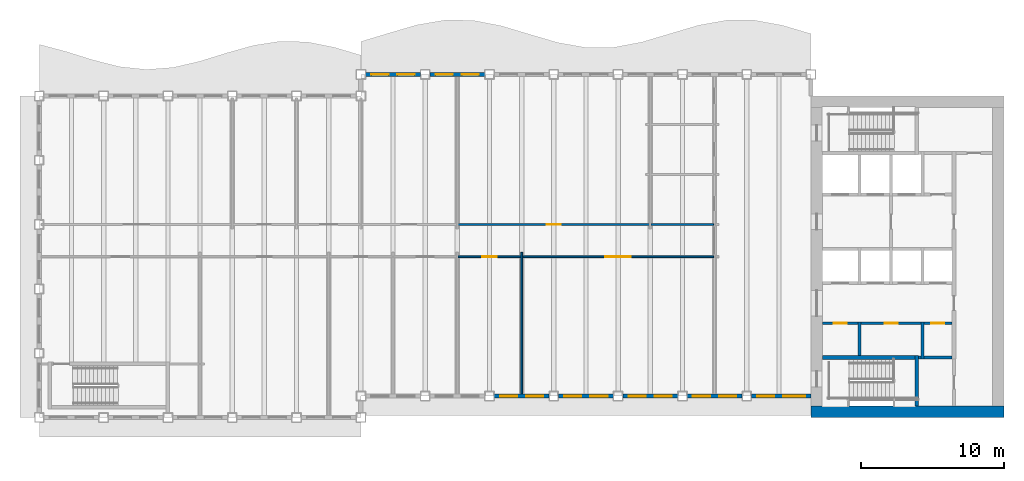
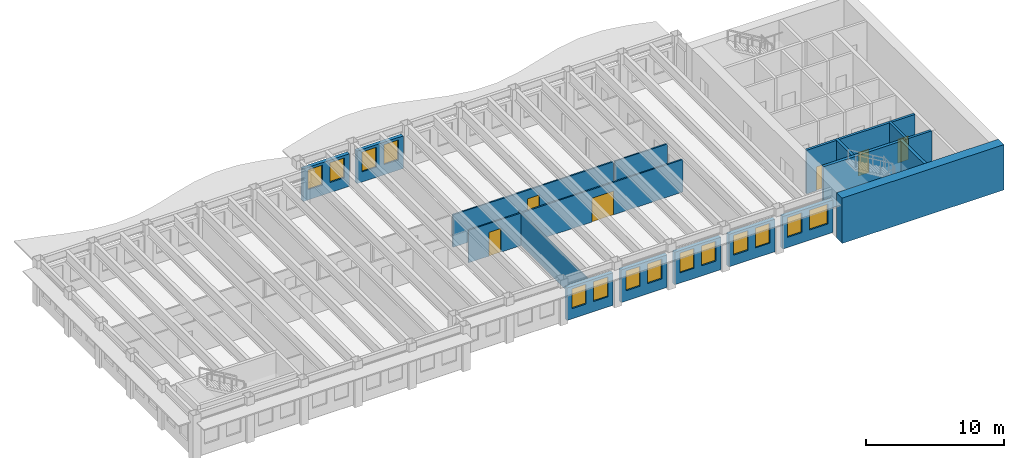
# One storey, part 4 of 12: 22 walls, 14 windows, 6 doors, 20 openings.
"""IFC4 building model written with IfcOpenShell, lengths in metres."""

from ifc_helpers import new_model, si_unit, direction, frame, frame_2d, origin, place, context, subcontext, project, spatial, rectangle, extrude, material, layer, layer_set, type_object, element, fill, save


model = new_model("IFC4")

# Units and contexts
model_context = context("Model", 3, precision=1e-05, world=origin(), true_north=direction((0.0, 1.0)))
body_context = subcontext(model_context, "Body", "Model", "MODEL_VIEW")
ifc_project = project(units=[si_unit("LENGTHUNIT", "METRE"), si_unit("AREAUNIT", "SQUARE_METRE"), si_unit("VOLUMEUNIT", "CUBIC_METRE"), si_unit("PLANEANGLEUNIT", "RADIAN"), si_unit("MASSUNIT", "GRAM", prefix="KILO")], contexts=[model_context])

# Site, building, storey
site_placement = place(None, origin())
site = spatial("IfcSite", under=ifc_project, at=site_placement, CompositionType="ELEMENT")
building_placement = place(site_placement, origin())
building = spatial("IfcBuilding", under=site, at=building_placement, Name="Sennacour Bend Tower", CompositionType="ELEMENT")
storey_placement = place(building_placement, frame((0.0, 0.0, 261.0)))
storey = spatial("IfcBuildingStorey", under=building, at=storey_placement, Name="L60", CompositionType="ELEMENT", Elevation=261.0)

# Walls
ifc_material_1 = material(Name="Concrete C50/60", Category="concrete")
ifc_layer_1 = layer(ifc_material_1, 0.800048828125, Name="Concrete C50/60", Category="concrete")
ifc_layer_set_1 = layer_set([ifc_layer_1], Name="Concrete C50/60")
wall_type_1 = type_object("IfcWallType", Name="Core wall 800 C50/60", PredefinedType="SHEAR", material=ifc_layer_set_1)
wall_1_placement = place(storey_placement, frame((67.5, 0.39990234375, -0.14990234375), z_axis=(0.0, 0.0, 1.0), x_axis=(-1.0, 0.0, 0.0)))
element("IfcWall", 1, at=wall_1_placement, inside=storey, type_object=wall_type_1, Name="Core A wall L60 S", PredefinedType="SHEAR", context=body_context, shape_type="SweptSolid", body=[
    extrude(rectangle(XDim=13.5, YDim=0.800048828125, at=frame_2d((6.75, 0.0))), origin(), (0.0, 0.0, 1.0), 4.0),
])
ifc_material_2 = material(Name="Plasterboard partition on steel studs", Category="steel")
ifc_layer_2 = layer(ifc_material_2, 0.1201171875, Name="Plasterboard partition on steel studs", Category="steel")
ifc_layer_set_2 = layer_set([ifc_layer_2], Name="Plasterboard partition on steel studs")
wall_type_2 = type_object("IfcWallType", Name="Partition 120", PredefinedType="PARTITIONING", material=ifc_layer_set_2)
wall_2_placement = place(storey_placement, frame((33.75, 1.64990234375, 0.0), z_axis=(0.0, 0.0, 1.0), x_axis=(0.0, 1.0, 0.0)))
element("IfcWall", 2, at=wall_2_placement, inside=storey, type_object=wall_type_2, Name="P-L60-W012a", PredefinedType="PARTITIONING", context=body_context, shape_type="SweptSolid", body=[
    extrude(rectangle(XDim=9.900146484375, YDim=0.1201171875, at=frame_2d((4.9501953125, 0.0))), origin(), (0.0, 0.0, 1.0), 2.8701171875),
])

# Wall, opening, door
wall_3_placement = place(storey_placement, frame((29.31005859375, 11.25, 0.0), z_axis=(0.0, 0.0, 1.0), x_axis=(1.0, 0.0, 0.0)))
wall_3 = element("IfcWall", 3, at=wall_3_placement, inside=storey, type_object=wall_type_2, Name="P-L60-W039ae", PredefinedType="PARTITIONING", context=body_context, shape_type="SweptSolid", body=[
    extrude(rectangle(XDim=4.3798828125, YDim=0.1201171875, at=frame_2d((2.18994140625, 0.0))), origin(), (0.0, 0.0, 1.0), 2.8701171875),
])
opening_1_placement = place(wall_3_placement, frame((1.68994140625, 0.0, 0.0)))
opening_1 = element("IfcOpeningElement", 4, at=opening_1_placement, cuts=wall_3, Name="Opening OD2", PredefinedType="OPENING", context=body_context, shape_type="SweptSolid", body=[
    extrude(rectangle(XDim=1.0, YDim=2.10009765625, at=frame_2d((0.5, 1.050048828125))), frame((0.0, 0.070068359375, 0.0), z_axis=(0.0, -1.0, 0.0), x_axis=(1.0, 0.0, 0.0)), (0.0, 0.0, 1.0), 0.14013671875),
])
ifc_material_3 = material(Name="Timber", Category="wood")
door_type_1 = type_object("IfcDoorType", Name="DR-OFFICE-1000", OperationType="NOTDEFINED", PredefinedType="DOOR", material=ifc_material_3)
door_1_placement = place(opening_1_placement, origin())
door_1 = element("IfcDoor", 5, at=door_1_placement, inside=storey, type_object=door_type_1, Name="Door", OperationType="SINGLE_SWING_LEFT", OverallHeight=2.10009765625, OverallWidth=1.0, PredefinedType="DOOR", context=body_context, shape_type="SweptSolid", body=[
    extrude(rectangle(XDim=1.0, YDim=2.10009765625, at=frame_2d((0.5, 1.050048828125))), frame((0.0, 0.02490234375, 0.0), z_axis=(0.0, -1.0, 0.0), x_axis=(1.0, 0.0, 0.0)), (0.0, 0.0, 1.0), 0.050048828125),
])
fill(opening_1, door_1)

wall_4_placement = place(storey_placement, frame((33.81005859375, 11.25, 0.0), z_axis=(0.0, 0.0, 1.0), x_axis=(1.0, 0.0, 0.0)))
wall_4 = element("IfcWall", 6, at=wall_4_placement, inside=storey, type_object=wall_type_2, Name="P-L60-W039af", PredefinedType="PARTITIONING", context=body_context, shape_type="SweptSolid", body=[
    extrude(rectangle(XDim=13.3798828125, YDim=0.1201171875, at=frame_2d((6.68994140625, 0.0))), origin(), (0.0, 0.0, 1.0), 2.8701171875),
])
opening_2_placement = place(wall_4_placement, frame((5.789794921875, 0.0, 0.0)))
opening_2 = element("IfcOpeningElement", 7, at=opening_2_placement, cuts=wall_4, Name="Opening OD3", PredefinedType="OPENING", context=body_context, shape_type="SweptSolid", body=[
    extrude(rectangle(XDim=1.800048828125, YDim=2.10009765625, at=frame_2d((0.89990234375, 1.050048828125))), frame((0.0, 0.070068359375, 0.0), z_axis=(0.0, -1.0, 0.0), x_axis=(1.0, 0.0, 0.0)), (0.0, 0.0, 1.0), 0.14013671875),
])
door_type_2 = type_object("IfcDoorType", Name="DR-OFFICE-1800", OperationType="NOTDEFINED", PredefinedType="DOOR", material=ifc_material_3)
door_2_placement = place(opening_2_placement, origin())
door_2 = element("IfcDoor", 8, at=door_2_placement, inside=storey, type_object=door_type_2, Name="Door", OperationType="DOUBLE_DOOR_SINGLE_SWING", OverallHeight=2.10009765625, OverallWidth=1.800048828125, PredefinedType="DOOR", context=body_context, shape_type="SweptSolid", body=[
    extrude(rectangle(XDim=1.800048828125, YDim=2.10009765625, at=frame_2d((0.89990234375, 1.050048828125))), frame((0.0, 0.02490234375, 0.0), z_axis=(0.0, -1.0, 0.0), x_axis=(1.0, 0.0, 0.0)), (0.0, 0.0, 1.0), 0.050048828125),
])
fill(opening_2, door_2)

wall_5_placement = place(storey_placement, frame((29.31005859375, 13.5, 0.0), z_axis=(0.0, 0.0, 1.0), x_axis=(1.0, 0.0, 0.0)))
wall_5 = element("IfcWall", 9, at=wall_5_placement, inside=storey, type_object=wall_type_2, Name="P-L60-W041ae", PredefinedType="PARTITIONING", context=body_context, shape_type="SweptSolid", body=[
    extrude(rectangle(XDim=13.3798828125, YDim=0.1201171875, at=frame_2d((6.68994140625, 0.0))), origin(), (0.0, 0.0, 1.0), 2.8701171875),
])
opening_3_placement = place(wall_5_placement, frame((6.18994140625, 0.0, 0.0)))
opening_3 = element("IfcOpeningElement", 10, at=opening_3_placement, cuts=wall_5, Name="Opening OD2", PredefinedType="OPENING", context=body_context, shape_type="SweptSolid", body=[
    extrude(rectangle(XDim=1.0, YDim=2.10009765625, at=frame_2d((0.5, 1.050048828125))), frame((0.0, 0.070068359375, 0.0), z_axis=(0.0, -1.0, 0.0), x_axis=(1.0, 0.0, 0.0)), (0.0, 0.0, 1.0), 0.14013671875),
])
door_3_placement = place(opening_3_placement, origin())
door_3 = element("IfcDoor", 11, at=door_3_placement, inside=storey, type_object=door_type_1, Name="Door", OperationType="SINGLE_SWING_LEFT", OverallHeight=2.10009765625, OverallWidth=1.0, PredefinedType="DOOR", context=body_context, shape_type="SweptSolid", body=[
    extrude(rectangle(XDim=1.0, YDim=2.10009765625, at=frame_2d((0.5, 1.050048828125))), frame((0.0, 0.02490234375, 0.0), z_axis=(0.0, -1.0, 0.0), x_axis=(1.0, 0.0, 0.0)), (0.0, 0.0, 1.0), 0.050048828125),
])
fill(opening_3, door_3)

# Walls
wall_6_placement = place(storey_placement, frame((42.81005859375, 13.5, 0.0), z_axis=(0.0, 0.0, 1.0), x_axis=(1.0, 0.0, 0.0)))
element("IfcWall", 12, at=wall_6_placement, inside=storey, type_object=wall_type_2, Name="P-L60-W041af", PredefinedType="PARTITIONING", context=body_context, shape_type="SweptSolid", body=[
    extrude(rectangle(XDim=4.3798828125, YDim=0.1201171875, at=frame_2d((2.18994140625, 0.0))), origin(), (0.0, 0.0, 1.0), 2.8701171875),
])
ifc_material_4 = material(Name="Fire-rated plasterboard partition on steel studs", Category="steel")
ifc_layer_3 = layer(ifc_material_4, 0.199951171875, Name="Fire-rated plasterboard partition on steel studs", Category="steel")
ifc_layer_set_3 = layer_set([ifc_layer_3], Name="Fire-rated plasterboard partition on steel studs")
wall_type_3 = type_object("IfcWallType", Name="Rated partition 200", PredefinedType="PARTITIONING", material=ifc_layer_set_3)
wall_7_placement = place(storey_placement, frame((57.39990234375, 4.324951171875, 0.0), z_axis=(0.0, 0.0, 1.0), x_axis=(0.0, 1.0, 0.0)))
element("IfcWall", 13, at=wall_7_placement, inside=storey, type_object=wall_type_3, Name="P-L60-W016", PredefinedType="PARTITIONING", context=body_context, shape_type="SweptSolid", body=[
    extrude(rectangle(XDim=2.375, YDim=0.199951171875, at=frame_2d((1.1875, 0.0))), origin(), (0.0, 0.0, 1.0), 3.85009765625),
])
wall_8_placement = place(storey_placement, frame((61.800048828125, 4.10009765625, 0.0), z_axis=(0.0, 0.0, 1.0), x_axis=(0.0, 1.0, 0.0)))
element("IfcWall", 14, at=wall_8_placement, inside=storey, type_object=wall_type_3, Name="P-L60-W024", PredefinedType="PARTITIONING", context=body_context, shape_type="SweptSolid", body=[
    extrude(rectangle(XDim=2.599853515625, YDim=0.199951171875, at=frame_2d((1.2998046875, 0.0))), origin(), (0.0, 0.0, 1.0), 3.85009765625),
])
wall_9_placement = place(storey_placement, frame((61.52490234375, 4.199951171875, 0.0), z_axis=(0.0, 0.0, 1.0), x_axis=(1.0, 0.0, 0.0)))
element("IfcWall", 15, at=wall_9_placement, inside=storey, type_object=wall_type_3, Name="P-L60-W036a", PredefinedType="PARTITIONING", context=body_context, shape_type="SweptSolid", body=[
    extrude(rectangle(XDim=0.175048828125, YDim=0.199951171875, at=frame_2d((0.08740234375, 0.0))), origin(), (0.0, 0.0, 1.0), 3.85009765625),
])
wall_10_placement = place(storey_placement, frame((61.89990234375, 4.199951171875, 0.0), z_axis=(0.0, 0.0, 1.0), x_axis=(1.0, 0.0, 0.0)))
element("IfcWall", 16, at=wall_10_placement, inside=storey, type_object=wall_type_3, Name="P-L60-W036b", PredefinedType="PARTITIONING", context=body_context, shape_type="SweptSolid", body=[
    extrude(rectangle(XDim=1.9501953125, YDim=0.199951171875, at=frame_2d((0.97509765625, 0.0))), origin(), (0.0, 0.0, 1.0), 3.85009765625),
])

# Wall, opening, door
wall_11_placement = place(storey_placement, frame((54.800048828125, 6.60009765625, 0.0), z_axis=(0.0, 0.0, 1.0), x_axis=(1.0, 0.0, 0.0)))
wall_11 = element("IfcWall", 17, at=wall_11_placement, inside=storey, type_object=wall_type_3, Name="P-L60-W037a", PredefinedType="PARTITIONING", context=body_context, shape_type="SweptSolid", body=[
    extrude(rectangle(XDim=2.5, YDim=0.199951171875, at=frame_2d((1.25, 0.0))), origin(), (0.0, 0.0, 1.0), 3.85009765625),
])
opening_4_placement = place(wall_11_placement, frame((0.800048828125, 0.0, 0.0)))
opening_4 = element("IfcOpeningElement", 18, at=opening_4_placement, cuts=wall_11, Name="Opening SV", PredefinedType="OPENING", context=body_context, shape_type="SweptSolid", body=[
    extrude(rectangle(XDim=0.89990234375, YDim=2.10009765625, at=frame_2d((0.449951171875, 1.050048828125))), frame((0.0, 0.10986328125, 0.0), z_axis=(0.0, -1.0, 0.0), x_axis=(1.0, 0.0, 0.0)), (0.0, 0.0, 1.0), 0.219970703125),
])
ifc_material_5 = material(Name="Painted steel", Category="steel")
door_type_3 = type_object("IfcDoorType", Name="DR-SERVICE-900", OperationType="NOTDEFINED", PredefinedType="DOOR", material=ifc_material_5)
door_4_placement = place(opening_4_placement, origin())
door_4 = element("IfcDoor", 19, at=door_4_placement, inside=storey, type_object=door_type_3, Name="Door", OperationType="SINGLE_SWING_LEFT", OverallHeight=2.10009765625, OverallWidth=0.89990234375, PredefinedType="DOOR", context=body_context, shape_type="SweptSolid", body=[
    extrude(rectangle(XDim=0.89990234375, YDim=2.10009765625, at=frame_2d((0.449951171875, 1.050048828125))), frame((0.0, 0.02490234375, 0.0), z_axis=(0.0, -1.0, 0.0), x_axis=(1.0, 0.0, 0.0)), (0.0, 0.0, 1.0), 0.050048828125),
])
fill(opening_4, door_4)

wall_12_placement = place(storey_placement, frame((57.5, 6.60009765625, 0.0), z_axis=(0.0, 0.0, 1.0), x_axis=(1.0, 0.0, 0.0)))
wall_12 = element("IfcWall", 20, at=wall_12_placement, inside=storey, type_object=wall_type_3, Name="P-L60-W037b", PredefinedType="PARTITIONING", context=body_context, shape_type="SweptSolid", body=[
    extrude(rectangle(XDim=4.199951171875, YDim=0.199951171875, at=frame_2d((2.10009765625, 0.0))), origin(), (0.0, 0.0, 1.0), 3.85009765625),
])
opening_5_placement = place(wall_12_placement, frame((1.64990234375, 0.0, 0.0)))
opening_5 = element("IfcOpeningElement", 21, at=opening_5_placement, cuts=wall_12, Name="Opening WD", PredefinedType="OPENING", context=body_context, shape_type="SweptSolid", body=[
    extrude(rectangle(XDim=0.89990234375, YDim=2.10009765625, at=frame_2d((0.449951171875, 1.050048828125))), frame((0.0, 0.10986328125, 0.0), z_axis=(0.0, -1.0, 0.0), x_axis=(1.0, 0.0, 0.0)), (0.0, 0.0, 1.0), 0.219970703125),
])
door_type_4 = type_object("IfcDoorType", Name="DR-WC-900", OperationType="NOTDEFINED", PredefinedType="DOOR", material=ifc_material_3)
door_5_placement = place(opening_5_placement, origin())
door_5 = element("IfcDoor", 22, at=door_5_placement, inside=storey, type_object=door_type_4, Name="Door", OperationType="SINGLE_SWING_RIGHT", OverallHeight=2.10009765625, OverallWidth=0.89990234375, PredefinedType="DOOR", context=body_context, shape_type="SweptSolid", body=[
    extrude(rectangle(XDim=0.89990234375, YDim=2.10009765625, at=frame_2d((0.449951171875, 1.050048828125))), frame((0.0, 0.02490234375, 0.0), z_axis=(0.0, -1.0, 0.0), x_axis=(1.0, 0.0, 0.0)), (0.0, 0.0, 1.0), 0.050048828125),
])
fill(opening_5, door_5)

wall_13_placement = place(storey_placement, frame((61.89990234375, 6.60009765625, 0.0), z_axis=(0.0, 0.0, 1.0), x_axis=(1.0, 0.0, 0.0)))
wall_13 = element("IfcWall", 23, at=wall_13_placement, inside=storey, type_object=wall_type_3, Name="P-L60-W037c", PredefinedType="PARTITIONING", context=body_context, shape_type="SweptSolid", body=[
    extrude(rectangle(XDim=1.9501953125, YDim=0.199951171875, at=frame_2d((0.97509765625, 0.0))), origin(), (0.0, 0.0, 1.0), 3.85009765625),
])
opening_6_placement = place(wall_13_placement, frame((0.525146484375, 0.0, 0.0)))
opening_6 = element("IfcOpeningElement", 24, at=opening_6_placement, cuts=wall_13, Name="Opening SV", PredefinedType="OPENING", context=body_context, shape_type="SweptSolid", body=[
    extrude(rectangle(XDim=0.89990234375, YDim=2.10009765625, at=frame_2d((0.449951171875, 1.050048828125))), frame((0.0, 0.10986328125, 0.0), z_axis=(0.0, -1.0, 0.0), x_axis=(1.0, 0.0, 0.0)), (0.0, 0.0, 1.0), 0.219970703125),
])
door_6_placement = place(opening_6_placement, origin())
door_6 = element("IfcDoor", 25, at=door_6_placement, inside=storey, type_object=door_type_3, Name="Door", OperationType="SINGLE_SWING_LEFT", OverallHeight=2.10009765625, OverallWidth=0.89990234375, PredefinedType="DOOR", context=body_context, shape_type="SweptSolid", body=[
    extrude(rectangle(XDim=0.89990234375, YDim=2.10009765625, at=frame_2d((0.449951171875, 1.050048828125))), frame((0.0, 0.02490234375, 0.0), z_axis=(0.0, -1.0, 0.0), x_axis=(1.0, 0.0, 0.0)), (0.0, 0.0, 1.0), 0.050048828125),
])
fill(opening_6, door_6)

# Wall, openings, windows
ifc_material_6 = material(Name="Warm limestone cladding", Category="masonry")
ifc_layer_4 = layer(ifc_material_6, 0.050048828125, Name="Warm limestone cladding", Category="masonry")
ifc_material_7 = material(Name="Precast concrete C40/50", Category="concrete")
ifc_layer_5 = layer(ifc_material_7, 0.25, Name="Precast concrete C40/50", Category="concrete")
ifc_layer_set_4 = layer_set([ifc_layer_4, ifc_layer_5], Name="Precast concrete C40/50 with limestone cladding")
wall_type_4 = type_object("IfcWallType", Name="STONE-CLAD PRECAST SPANDREL 300", PredefinedType="STANDARD", material=ifc_layer_set_4)
wall_14_placement = place(storey_placement, frame((31.824951171875, 1.5, 0.0), z_axis=(0.0, 0.0, 1.0), x_axis=(1.0, 0.0, 0.0)))
wall_14 = element("IfcWall", 26, at=wall_14_placement, inside=storey, type_object=wall_type_4, Name="Stone spandrel and pier wall L60 01.02", PredefinedType="STANDARD", context=body_context, shape_type="SweptSolid", body=[
    extrude(rectangle(XDim=3.85009765625, YDim=0.300048828125, at=frame_2d((1.925048828125, 0.0))), origin(), (0.0, 0.0, 1.0), 2.8701171875),
])
opening_7_placement = place(wall_14_placement, frame((0.41259765625, 0.0, 0.89990234375)))
opening_7 = element("IfcOpeningElement", 27, at=opening_7_placement, cuts=wall_14, Name="Opening W16", PredefinedType="OPENING", context=body_context, shape_type="SweptSolid", body=[
    extrude(rectangle(XDim=1.199951171875, YDim=1.75, at=frame_2d((0.60009765625, 0.875))), frame((0.0, 0.16015625, 0.0), z_axis=(0.0, -1.0, 0.0), x_axis=(1.0, 0.0, 0.0)), (0.0, 0.0, 1.0), 0.320068359375),
])
opening_8_placement = place(wall_14_placement, frame((2.237548828125, 0.0, 0.89990234375)))
opening_8 = element("IfcOpeningElement", 28, at=opening_8_placement, cuts=wall_14, Name="Opening W16", PredefinedType="OPENING", context=body_context, shape_type="SweptSolid", body=[
    extrude(rectangle(XDim=1.199951171875, YDim=1.75, at=frame_2d((0.60009765625, 0.875))), frame((0.0, 0.16015625, 0.0), z_axis=(0.0, -1.0, 0.0), x_axis=(1.0, 0.0, 0.0)), (0.0, 0.0, 1.0), 0.320068359375),
])
ifc_material_8 = material(Name="Clear low-emissivity glass", Category="glass")
window_type_1 = type_object("IfcWindowType", Name="WIN-RIBBON-1200x1750", PartitioningType="SINGLE_PANEL", PredefinedType="WINDOW", material=ifc_material_8)
window_1_placement = place(opening_7_placement, origin())
window_1 = element("IfcWindow", 29, at=window_1_placement, inside=storey, type_object=window_type_1, Name="Ribbon window L60 01.02.0", OverallHeight=1.75, OverallWidth=1.199951171875, PartitioningType="SINGLE_PANEL", PredefinedType="WINDOW", context=body_context, shape_type="SweptSolid", body=[
    extrude(rectangle(XDim=1.199951171875, YDim=1.75, at=frame_2d((0.60009765625, 0.875))), frame((0.0, 0.030029296875, 0.0), z_axis=(0.0, -1.0, 0.0), x_axis=(1.0, 0.0, 0.0)), (0.0, 0.0, 1.0), 0.06005859375),
])
fill(opening_7, window_1)
window_2_placement = place(opening_8_placement, origin())
window_2 = element("IfcWindow", 30, at=window_2_placement, inside=storey, type_object=window_type_1, Name="Ribbon window L60 01.02.1", OverallHeight=1.75, OverallWidth=1.199951171875, PartitioningType="SINGLE_PANEL", PredefinedType="WINDOW", context=body_context, shape_type="SweptSolid", body=[
    extrude(rectangle(XDim=1.199951171875, YDim=1.75, at=frame_2d((0.60009765625, 0.875))), frame((0.0, 0.030029296875, 0.0), z_axis=(0.0, -1.0, 0.0), x_axis=(1.0, 0.0, 0.0)), (0.0, 0.0, 1.0), 0.06005859375),
])
fill(opening_8, window_2)

wall_15_placement = place(storey_placement, frame((36.324951171875, 1.5, 0.0), z_axis=(0.0, 0.0, 1.0), x_axis=(1.0, 0.0, 0.0)))
wall_15 = element("IfcWall", 31, at=wall_15_placement, inside=storey, type_object=wall_type_4, Name="Stone spandrel and pier wall L60 01.03", PredefinedType="STANDARD", context=body_context, shape_type="SweptSolid", body=[
    extrude(rectangle(XDim=3.85009765625, YDim=0.300048828125, at=frame_2d((1.925048828125, 0.0))), origin(), (0.0, 0.0, 1.0), 2.8701171875),
])
opening_9_placement = place(wall_15_placement, frame((0.41259765625, 0.0, 0.89990234375)))
opening_9 = element("IfcOpeningElement", 32, at=opening_9_placement, cuts=wall_15, Name="Opening W16", PredefinedType="OPENING", context=body_context, shape_type="SweptSolid", body=[
    extrude(rectangle(XDim=1.199951171875, YDim=1.75, at=frame_2d((0.60009765625, 0.875))), frame((0.0, 0.16015625, 0.0), z_axis=(0.0, -1.0, 0.0), x_axis=(1.0, 0.0, 0.0)), (0.0, 0.0, 1.0), 0.320068359375),
])
opening_10_placement = place(wall_15_placement, frame((2.237548828125, 0.0, 0.89990234375)))
opening_10 = element("IfcOpeningElement", 33, at=opening_10_placement, cuts=wall_15, Name="Opening W16", PredefinedType="OPENING", context=body_context, shape_type="SweptSolid", body=[
    extrude(rectangle(XDim=1.199951171875, YDim=1.75, at=frame_2d((0.60009765625, 0.875))), frame((0.0, 0.16015625, 0.0), z_axis=(0.0, -1.0, 0.0), x_axis=(1.0, 0.0, 0.0)), (0.0, 0.0, 1.0), 0.320068359375),
])
window_3_placement = place(opening_9_placement, origin())
window_3 = element("IfcWindow", 34, at=window_3_placement, inside=storey, type_object=window_type_1, Name="Ribbon window L60 01.03.0", OverallHeight=1.75, OverallWidth=1.199951171875, PartitioningType="SINGLE_PANEL", PredefinedType="WINDOW", context=body_context, shape_type="SweptSolid", body=[
    extrude(rectangle(XDim=1.199951171875, YDim=1.75, at=frame_2d((0.60009765625, 0.875))), frame((0.0, 0.030029296875, 0.0), z_axis=(0.0, -1.0, 0.0), x_axis=(1.0, 0.0, 0.0)), (0.0, 0.0, 1.0), 0.06005859375),
])
fill(opening_9, window_3)
window_4_placement = place(opening_10_placement, origin())
window_4 = element("IfcWindow", 35, at=window_4_placement, inside=storey, type_object=window_type_1, Name="Ribbon window L60 01.03.1", OverallHeight=1.75, OverallWidth=1.199951171875, PartitioningType="SINGLE_PANEL", PredefinedType="WINDOW", context=body_context, shape_type="SweptSolid", body=[
    extrude(rectangle(XDim=1.199951171875, YDim=1.75, at=frame_2d((0.60009765625, 0.875))), frame((0.0, 0.030029296875, 0.0), z_axis=(0.0, -1.0, 0.0), x_axis=(1.0, 0.0, 0.0)), (0.0, 0.0, 1.0), 0.06005859375),
])
fill(opening_10, window_4)

wall_16_placement = place(storey_placement, frame((40.824951171875, 1.5, 0.0), z_axis=(0.0, 0.0, 1.0), x_axis=(1.0, 0.0, 0.0)))
wall_16 = element("IfcWall", 36, at=wall_16_placement, inside=storey, type_object=wall_type_4, Name="Stone spandrel and pier wall L60 01.04", PredefinedType="STANDARD", context=body_context, shape_type="SweptSolid", body=[
    extrude(rectangle(XDim=3.85009765625, YDim=0.300048828125, at=frame_2d((1.925048828125, 0.0))), origin(), (0.0, 0.0, 1.0), 2.8701171875),
])
opening_11_placement = place(wall_16_placement, frame((0.41259765625, 0.0, 0.89990234375)))
opening_11 = element("IfcOpeningElement", 37, at=opening_11_placement, cuts=wall_16, Name="Opening W16", PredefinedType="OPENING", context=body_context, shape_type="SweptSolid", body=[
    extrude(rectangle(XDim=1.199951171875, YDim=1.75, at=frame_2d((0.60009765625, 0.875))), frame((0.0, 0.16015625, 0.0), z_axis=(0.0, -1.0, 0.0), x_axis=(1.0, 0.0, 0.0)), (0.0, 0.0, 1.0), 0.320068359375),
])
opening_12_placement = place(wall_16_placement, frame((2.237548828125, 0.0, 0.89990234375)))
opening_12 = element("IfcOpeningElement", 38, at=opening_12_placement, cuts=wall_16, Name="Opening W16", PredefinedType="OPENING", context=body_context, shape_type="SweptSolid", body=[
    extrude(rectangle(XDim=1.199951171875, YDim=1.75, at=frame_2d((0.60009765625, 0.875))), frame((0.0, 0.16015625, 0.0), z_axis=(0.0, -1.0, 0.0), x_axis=(1.0, 0.0, 0.0)), (0.0, 0.0, 1.0), 0.320068359375),
])
window_5_placement = place(opening_11_placement, origin())
window_5 = element("IfcWindow", 39, at=window_5_placement, inside=storey, type_object=window_type_1, Name="Ribbon window L60 01.04.0", OverallHeight=1.75, OverallWidth=1.199951171875, PartitioningType="SINGLE_PANEL", PredefinedType="WINDOW", context=body_context, shape_type="SweptSolid", body=[
    extrude(rectangle(XDim=1.199951171875, YDim=1.75, at=frame_2d((0.60009765625, 0.875))), frame((0.0, 0.030029296875, 0.0), z_axis=(0.0, -1.0, 0.0), x_axis=(1.0, 0.0, 0.0)), (0.0, 0.0, 1.0), 0.06005859375),
])
fill(opening_11, window_5)
window_6_placement = place(opening_12_placement, origin())
window_6 = element("IfcWindow", 40, at=window_6_placement, inside=storey, type_object=window_type_1, Name="Ribbon window L60 01.04.1", OverallHeight=1.75, OverallWidth=1.199951171875, PartitioningType="SINGLE_PANEL", PredefinedType="WINDOW", context=body_context, shape_type="SweptSolid", body=[
    extrude(rectangle(XDim=1.199951171875, YDim=1.75, at=frame_2d((0.60009765625, 0.875))), frame((0.0, 0.030029296875, 0.0), z_axis=(0.0, -1.0, 0.0), x_axis=(1.0, 0.0, 0.0)), (0.0, 0.0, 1.0), 0.06005859375),
])
fill(opening_12, window_6)

wall_17_placement = place(storey_placement, frame((45.324951171875, 1.5, 0.0), z_axis=(0.0, 0.0, 1.0), x_axis=(1.0, 0.0, 0.0)))
wall_17 = element("IfcWall", 41, at=wall_17_placement, inside=storey, type_object=wall_type_4, Name="Stone spandrel and pier wall L60 01.05", PredefinedType="STANDARD", context=body_context, shape_type="SweptSolid", body=[
    extrude(rectangle(XDim=3.85009765625, YDim=0.300048828125, at=frame_2d((1.925048828125, 0.0))), origin(), (0.0, 0.0, 1.0), 2.8701171875),
])
opening_13_placement = place(wall_17_placement, frame((0.41259765625, 0.0, 0.89990234375)))
opening_13 = element("IfcOpeningElement", 42, at=opening_13_placement, cuts=wall_17, Name="Opening W16", PredefinedType="OPENING", context=body_context, shape_type="SweptSolid", body=[
    extrude(rectangle(XDim=1.199951171875, YDim=1.75, at=frame_2d((0.60009765625, 0.875))), frame((0.0, 0.16015625, 0.0), z_axis=(0.0, -1.0, 0.0), x_axis=(1.0, 0.0, 0.0)), (0.0, 0.0, 1.0), 0.320068359375),
])
opening_14_placement = place(wall_17_placement, frame((2.237548828125, 0.0, 0.89990234375)))
opening_14 = element("IfcOpeningElement", 43, at=opening_14_placement, cuts=wall_17, Name="Opening W16", PredefinedType="OPENING", context=body_context, shape_type="SweptSolid", body=[
    extrude(rectangle(XDim=1.199951171875, YDim=1.75, at=frame_2d((0.60009765625, 0.875))), frame((0.0, 0.16015625, 0.0), z_axis=(0.0, -1.0, 0.0), x_axis=(1.0, 0.0, 0.0)), (0.0, 0.0, 1.0), 0.320068359375),
])
window_7_placement = place(opening_13_placement, origin())
window_7 = element("IfcWindow", 44, at=window_7_placement, inside=storey, type_object=window_type_1, Name="Ribbon window L60 01.05.0", OverallHeight=1.75, OverallWidth=1.199951171875, PartitioningType="SINGLE_PANEL", PredefinedType="WINDOW", context=body_context, shape_type="SweptSolid", body=[
    extrude(rectangle(XDim=1.199951171875, YDim=1.75, at=frame_2d((0.60009765625, 0.875))), frame((0.0, 0.030029296875, 0.0), z_axis=(0.0, -1.0, 0.0), x_axis=(1.0, 0.0, 0.0)), (0.0, 0.0, 1.0), 0.06005859375),
])
fill(opening_13, window_7)
window_8_placement = place(opening_14_placement, origin())
window_8 = element("IfcWindow", 45, at=window_8_placement, inside=storey, type_object=window_type_1, Name="Ribbon window L60 01.05.1", OverallHeight=1.75, OverallWidth=1.199951171875, PartitioningType="SINGLE_PANEL", PredefinedType="WINDOW", context=body_context, shape_type="SweptSolid", body=[
    extrude(rectangle(XDim=1.199951171875, YDim=1.75, at=frame_2d((0.60009765625, 0.875))), frame((0.0, 0.030029296875, 0.0), z_axis=(0.0, -1.0, 0.0), x_axis=(1.0, 0.0, 0.0)), (0.0, 0.0, 1.0), 0.06005859375),
])
fill(opening_14, window_8)

wall_18_placement = place(storey_placement, frame((49.824951171875, 1.5, 0.0), z_axis=(0.0, 0.0, 1.0), x_axis=(1.0, 0.0, 0.0)))
wall_18 = element("IfcWall", 46, at=wall_18_placement, inside=storey, type_object=wall_type_4, Name="Stone spandrel and pier wall L60 01.06", PredefinedType="STANDARD", context=body_context, shape_type="SweptSolid", body=[
    extrude(rectangle(XDim=4.175048828125, YDim=0.300048828125, at=frame_2d((2.08740234375, 0.0))), origin(), (0.0, 0.0, 1.0), 2.8701171875),
])
opening_15_placement = place(wall_18_placement, frame((0.41259765625, 0.0, 0.89990234375)))
opening_15 = element("IfcOpeningElement", 47, at=opening_15_placement, cuts=wall_18, Name="Opening W16", PredefinedType="OPENING", context=body_context, shape_type="SweptSolid", body=[
    extrude(rectangle(XDim=1.199951171875, YDim=1.75, at=frame_2d((0.60009765625, 0.875))), frame((0.0, 0.16015625, 0.0), z_axis=(0.0, -1.0, 0.0), x_axis=(1.0, 0.0, 0.0)), (0.0, 0.0, 1.0), 0.320068359375),
])
opening_16_placement = place(wall_18_placement, frame((2.22509765625, 0.0, 0.89990234375)))
opening_16 = element("IfcOpeningElement", 48, at=opening_16_placement, cuts=wall_18, Name="Opening W12", PredefinedType="OPENING", context=body_context, shape_type="SweptSolid", body=[
    extrude(rectangle(XDim=1.550048828125, YDim=1.75, at=frame_2d((0.77490234375, 0.875))), frame((0.0, 0.16015625, 0.0), z_axis=(0.0, -1.0, 0.0), x_axis=(1.0, 0.0, 0.0)), (0.0, 0.0, 1.0), 0.320068359375),
])
window_9_placement = place(opening_15_placement, origin())
window_9 = element("IfcWindow", 49, at=window_9_placement, inside=storey, type_object=window_type_1, Name="Ribbon window L60 01.06.0", OverallHeight=1.75, OverallWidth=1.199951171875, PartitioningType="SINGLE_PANEL", PredefinedType="WINDOW", context=body_context, shape_type="SweptSolid", body=[
    extrude(rectangle(XDim=1.199951171875, YDim=1.75, at=frame_2d((0.60009765625, 0.875))), frame((0.0, 0.030029296875, 0.0), z_axis=(0.0, -1.0, 0.0), x_axis=(1.0, 0.0, 0.0)), (0.0, 0.0, 1.0), 0.06005859375),
])
fill(opening_15, window_9)
window_type_2 = type_object("IfcWindowType", Name="WIN-RIBBON-1550x1750", PartitioningType="SINGLE_PANEL", PredefinedType="WINDOW", material=ifc_material_8)
window_10_placement = place(opening_16_placement, origin())
window_10 = element("IfcWindow", 50, at=window_10_placement, inside=storey, type_object=window_type_2, Name="Ribbon window L60 01.06.1", OverallHeight=1.75, OverallWidth=1.550048828125, PartitioningType="SINGLE_PANEL", PredefinedType="WINDOW", context=body_context, shape_type="SweptSolid", body=[
    extrude(rectangle(XDim=1.550048828125, YDim=1.75, at=frame_2d((0.77490234375, 0.875))), frame((0.0, 0.030029296875, 0.0), z_axis=(0.0, -1.0, 0.0), x_axis=(1.0, 0.0, 0.0)), (0.0, 0.0, 1.0), 0.06005859375),
])
fill(opening_16, window_10)

wall_19_placement = place(storey_placement, frame((31.175048828125, 24.0, 0.0), z_axis=(0.0, 0.0, 1.0), x_axis=(-1.0, 0.0, 0.0)))
wall_19 = element("IfcWall", 51, at=wall_19_placement, inside=storey, type_object=wall_type_4, Name="Stone spandrel and pier wall L60 07.05", PredefinedType="STANDARD", context=body_context, shape_type="SweptSolid", body=[
    extrude(rectangle(XDim=3.85009765625, YDim=0.300048828125, at=frame_2d((1.925048828125, 0.0))), origin(), (0.0, 0.0, 1.0), 2.8701171875),
])
opening_17_placement = place(wall_19_placement, frame((0.41259765625, 0.0, 0.89990234375)))
opening_17 = element("IfcOpeningElement", 52, at=opening_17_placement, cuts=wall_19, Name="Opening W16", PredefinedType="OPENING", context=body_context, shape_type="SweptSolid", body=[
    extrude(rectangle(XDim=1.199951171875, YDim=1.75, at=frame_2d((0.60009765625, 0.875))), frame((0.0, 0.16015625, 0.0), z_axis=(0.0, -1.0, 0.0), x_axis=(1.0, 0.0, 0.0)), (0.0, 0.0, 1.0), 0.320068359375),
])
opening_18_placement = place(wall_19_placement, frame((2.237548828125, 0.0, 0.89990234375)))
opening_18 = element("IfcOpeningElement", 53, at=opening_18_placement, cuts=wall_19, Name="Opening W16", PredefinedType="OPENING", context=body_context, shape_type="SweptSolid", body=[
    extrude(rectangle(XDim=1.199951171875, YDim=1.75, at=frame_2d((0.60009765625, 0.875))), frame((0.0, 0.16015625, 0.0), z_axis=(0.0, -1.0, 0.0), x_axis=(1.0, 0.0, 0.0)), (0.0, 0.0, 1.0), 0.320068359375),
])
window_11_placement = place(opening_17_placement, origin())
window_11 = element("IfcWindow", 54, at=window_11_placement, inside=storey, type_object=window_type_1, Name="Ribbon window L60 07.05.0", OverallHeight=1.75, OverallWidth=1.199951171875, PartitioningType="SINGLE_PANEL", PredefinedType="WINDOW", context=body_context, shape_type="SweptSolid", body=[
    extrude(rectangle(XDim=1.199951171875, YDim=1.75, at=frame_2d((0.60009765625, 0.875))), frame((0.0, 0.030029296875, 0.0), z_axis=(0.0, -1.0, 0.0), x_axis=(1.0, 0.0, 0.0)), (0.0, 0.0, 1.0), 0.06005859375),
])
fill(opening_17, window_11)
window_12_placement = place(opening_18_placement, origin())
window_12 = element("IfcWindow", 55, at=window_12_placement, inside=storey, type_object=window_type_1, Name="Ribbon window L60 07.05.1", OverallHeight=1.75, OverallWidth=1.199951171875, PartitioningType="SINGLE_PANEL", PredefinedType="WINDOW", context=body_context, shape_type="SweptSolid", body=[
    extrude(rectangle(XDim=1.199951171875, YDim=1.75, at=frame_2d((0.60009765625, 0.875))), frame((0.0, 0.030029296875, 0.0), z_axis=(0.0, -1.0, 0.0), x_axis=(1.0, 0.0, 0.0)), (0.0, 0.0, 1.0), 0.06005859375),
])
fill(opening_18, window_12)

wall_20_placement = place(storey_placement, frame((26.675048828125, 24.0, 0.0), z_axis=(0.0, 0.0, 1.0), x_axis=(-1.0, 0.0, 0.0)))
wall_20 = element("IfcWall", 56, at=wall_20_placement, inside=storey, type_object=wall_type_4, Name="Stone spandrel and pier wall L60 07.06", PredefinedType="STANDARD", context=body_context, shape_type="SweptSolid", body=[
    extrude(rectangle(XDim=3.85009765625, YDim=0.300048828125, at=frame_2d((1.925048828125, 0.0))), origin(), (0.0, 0.0, 1.0), 2.8701171875),
])
opening_19_placement = place(wall_20_placement, frame((0.41259765625, 0.0, 0.89990234375)))
opening_19 = element("IfcOpeningElement", 57, at=opening_19_placement, cuts=wall_20, Name="Opening W16", PredefinedType="OPENING", context=body_context, shape_type="SweptSolid", body=[
    extrude(rectangle(XDim=1.199951171875, YDim=1.75, at=frame_2d((0.60009765625, 0.875))), frame((0.0, 0.16015625, 0.0), z_axis=(0.0, -1.0, 0.0), x_axis=(1.0, 0.0, 0.0)), (0.0, 0.0, 1.0), 0.320068359375),
])
opening_20_placement = place(wall_20_placement, frame((2.237548828125, 0.0, 0.89990234375)))
opening_20 = element("IfcOpeningElement", 58, at=opening_20_placement, cuts=wall_20, Name="Opening W16", PredefinedType="OPENING", context=body_context, shape_type="SweptSolid", body=[
    extrude(rectangle(XDim=1.199951171875, YDim=1.75, at=frame_2d((0.60009765625, 0.875))), frame((0.0, 0.16015625, 0.0), z_axis=(0.0, -1.0, 0.0), x_axis=(1.0, 0.0, 0.0)), (0.0, 0.0, 1.0), 0.320068359375),
])
window_13_placement = place(opening_19_placement, origin())
window_13 = element("IfcWindow", 59, at=window_13_placement, inside=storey, type_object=window_type_1, Name="Ribbon window L60 07.06.0", OverallHeight=1.75, OverallWidth=1.199951171875, PartitioningType="SINGLE_PANEL", PredefinedType="WINDOW", context=body_context, shape_type="SweptSolid", body=[
    extrude(rectangle(XDim=1.199951171875, YDim=1.75, at=frame_2d((0.60009765625, 0.875))), frame((0.0, 0.030029296875, 0.0), z_axis=(0.0, -1.0, 0.0), x_axis=(1.0, 0.0, 0.0)), (0.0, 0.0, 1.0), 0.06005859375),
])
fill(opening_19, window_13)
window_14_placement = place(opening_20_placement, origin())
window_14 = element("IfcWindow", 60, at=window_14_placement, inside=storey, type_object=window_type_1, Name="Ribbon window L60 07.06.1", OverallHeight=1.75, OverallWidth=1.199951171875, PartitioningType="SINGLE_PANEL", PredefinedType="WINDOW", context=body_context, shape_type="SweptSolid", body=[
    extrude(rectangle(XDim=1.199951171875, YDim=1.75, at=frame_2d((0.60009765625, 0.875))), frame((0.0, 0.030029296875, 0.0), z_axis=(0.0, -1.0, 0.0), x_axis=(1.0, 0.0, 0.0)), (0.0, 0.0, 1.0), 0.06005859375),
])
fill(opening_20, window_14)

# Walls
ifc_material_9 = material(Name="Concrete C60/75", Category="concrete")
ifc_layer_6 = layer(ifc_material_9, 0.25, Name="Concrete C60/75", Category="concrete")
ifc_layer_set_5 = layer_set([ifc_layer_6], Name="Concrete C60/75")
wall_type_5 = type_object("IfcWallType", Name="Stair wall 250", PredefinedType="SHEAR", material=ifc_layer_set_5)
wall_21_placement = place(storey_placement, frame((61.39990234375, 0.800048828125, 0.0), z_axis=(0.0, 0.0, 1.0), x_axis=(0.0, 1.0, 0.0)))
element("IfcWall", 61, at=wall_21_placement, inside=storey, type_object=wall_type_5, Name="P-L60-W022", PredefinedType="SHEAR", context=body_context, shape_type="SweptSolid", body=[
    extrude(rectangle(XDim=3.52490234375, YDim=0.25, at=frame_2d((1.762451171875, 0.0))), origin(), (0.0, 0.0, 1.0), 3.85009765625),
])
wall_22_placement = place(storey_placement, frame((54.800048828125, 4.199951171875, 0.0), z_axis=(0.0, 0.0, 1.0), x_axis=(1.0, 0.0, 0.0)))
element("IfcWall", 62, at=wall_22_placement, inside=storey, type_object=wall_type_5, Name="P-L60-W035", PredefinedType="SHEAR", context=body_context, shape_type="SweptSolid", body=[
    extrude(rectangle(XDim=6.474853515625, YDim=0.25, at=frame_2d((3.2373046875, 0.0))), origin(), (0.0, 0.0, 1.0), 3.85009765625),
])

save(model, "model.ifc")
